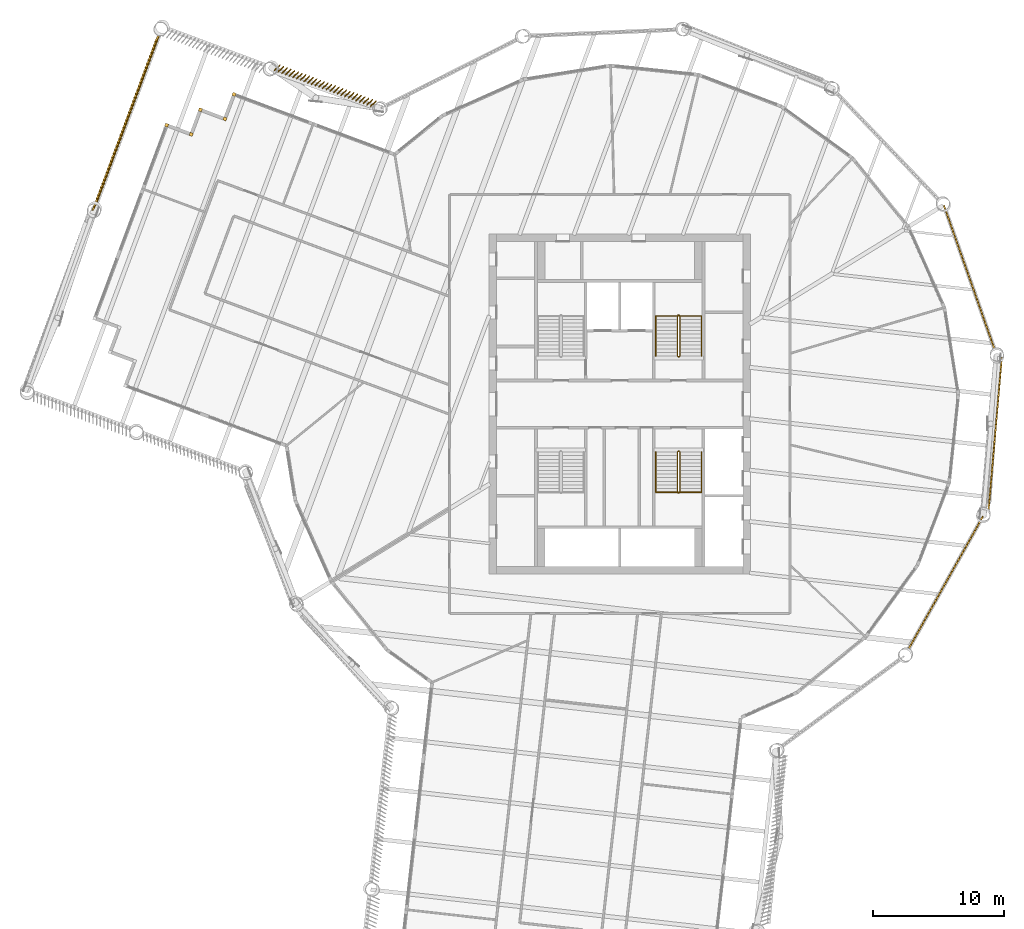
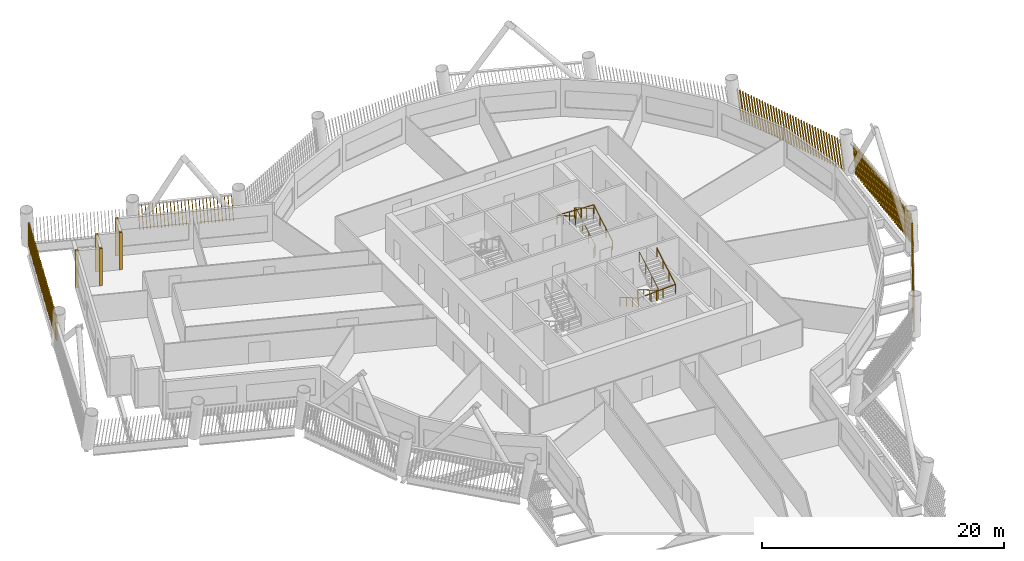
# One storey, part 20 of 22: 10 shading devices, 4 railings.
"""IFC4 building model written with IfcOpenShell, lengths in metres."""

from ifc_helpers import new_model, si_unit, direction, frame, frame_2d, origin, origin_2d, place, context, subcontext, project, spatial, rectangle, circle, composite_profile, extrude, material, type_object, element, save


model = new_model("IFC4")

# Units and contexts
model_context = context("Model", 3, precision=1e-05, world=origin(), true_north=direction((0.0, 1.0)))
body_context = subcontext(model_context, "Body", "Model", "MODEL_VIEW")
ifc_project = project(units=[si_unit("LENGTHUNIT", "METRE"), si_unit("AREAUNIT", "SQUARE_METRE"), si_unit("VOLUMEUNIT", "CUBIC_METRE"), si_unit("PLANEANGLEUNIT", "RADIAN"), si_unit("MASSUNIT", "GRAM", prefix="KILO")], contexts=[model_context])

# Site, building, storey
site_placement = place(None, origin())
site = spatial("IfcSite", under=ifc_project, at=site_placement, CompositionType="ELEMENT")
building_placement = place(site_placement, origin())
building = spatial("IfcBuilding", under=site, at=building_placement, Name="Tarsis Ring Headquarters", CompositionType="ELEMENT")
storey_placement = place(building_placement, frame((0.0, 0.0, 200.39990234375)))
storey = spatial("IfcBuildingStorey", under=building, at=storey_placement, Name="L46", CompositionType="ELEMENT", Elevation=200.39990234375)

# Railings
ifc_material_1 = material(Name="Steel S355", Category="steel")
railing_type_1 = type_object("IfcRailingType", Name="Core stair guard 1100", PredefinedType="GUARDRAIL", material=ifc_material_1)
railing_1_placement = place(storey_placement, frame((4.4599609375, 3.610107421875, 0.0)))
element("IfcRailing", 1, at=railing_1_placement, inside=storey, type_object=railing_type_1, Name="L46 ST2 stair guard 1", PredefinedType="GUARDRAIL", context=body_context, shape_type="SweptSolid", body=[
    extrude(circle(Radius=0.02392578125, at=origin_2d()), frame((0.0, 0.0, 1.076171875), z_axis=(1.0, 0.0, 0.0), x_axis=(0.0, 1.0, 0.0)), (0.0, 0.0, 1.0), 0.080078125),
    extrude(circle(Radius=0.02392578125, at=origin_2d()), frame((0.080078125, 0.0, 1.076171875), z_axis=(0.282336740067, 0.280959487676, 0.917250092119), x_axis=(-0.705375805398, 0.708833529934, 0.0)), (0.0, 0.0, 1.0), 0.17724609375),
    extrude(circle(Radius=0.02392578125, at=origin_2d()), frame((0.130126953125, 0.0498046875, 1.23876953125), z_axis=(0.0, 0.864890721111, 0.501960198159), x_axis=(-1.0, 0.0, 0.0)), (0.0, 0.0, 1.0), 3.561279296875),
    extrude(circle(Radius=0.02392578125, at=origin_2d()), frame((0.130126953125, 3.1298828125, 3.0263671875), z_axis=(-0.707106781187, 0.707106781187, 0.0), x_axis=(-0.707106781187, -0.707106781187, 0.0)), (0.0, 0.0, 1.0), 0.07080078125),
    extrude(circle(Radius=0.02392578125, at=origin_2d()), frame((0.080078125, 3.179931640625, 3.0263671875), z_axis=(-1.0, 0.0, 0.0), x_axis=(0.0, -1.0, 0.0)), (0.0, 0.0, 1.0), 0.080078125),
    extrude(circle(Radius=0.02392578125, at=origin_2d()), frame((0.0, 3.179931640625, 3.0263671875), z_axis=(-0.282583949758, -0.282583949758, 0.916674763849), x_axis=(0.707106781187, -0.707106781187, 0.0)), (0.0, 0.0, 1.0), 0.177001953125),
    extrude(circle(Radius=0.02392578125, at=origin_2d()), frame((-0.050048828125, 3.1298828125, 3.1884765625), z_axis=(0.0, -0.864890721111, 0.501960198159), x_axis=(1.0, 0.0, 0.0)), (0.0, 0.0, 1.0), 3.561279296875),
    extrude(circle(Radius=0.02099609375, at=origin_2d()), origin(), (0.0, 0.0, 1.0), 1.052001953125),
    extrude(circle(Radius=0.02099609375, at=origin_2d()), frame((0.080078125, 0.0, 0.0)), (0.0, 0.0, 1.0), 1.052001953125),
    extrude(circle(Radius=0.02099609375, at=origin_2d()), frame((0.130126953125, 0.0498046875, 0.16259765625)), (0.0, 0.0, 1.0), 1.052001953125),
    extrude(circle(Radius=0.02099609375, at=origin_2d()), frame((0.130126953125, 1.076416015625, 0.758544921875)), (0.0, 0.0, 1.0), 1.052001953125),
    extrude(circle(Radius=0.02099609375, at=origin_2d()), frame((0.130126953125, 2.103271484375, 1.354248046875)), (0.0, 0.0, 1.0), 1.052001953125),
    extrude(circle(Radius=0.02099609375, at=origin_2d()), frame((0.130126953125, 3.1298828125, 1.9501953125)), (0.0, 0.0, 1.0), 1.052001953125),
    extrude(circle(Radius=0.02099609375, at=origin_2d()), frame((0.080078125, 3.179931640625, 1.9501953125)), (0.0, 0.0, 1.0), 1.052001953125),
    extrude(circle(Radius=0.02099609375, at=origin_2d()), frame((0.0, 3.179931640625, 1.9501953125)), (0.0, 0.0, 1.0), 1.052001953125),
    extrude(circle(Radius=0.02099609375, at=origin_2d()), frame((-0.050048828125, 3.1298828125, 2.112548828125)), (0.0, 0.0, 1.0), 1.052001953125),
    extrude(circle(Radius=0.02099609375, at=origin_2d()), frame((-0.050048828125, 2.103271484375, 2.70849609375)), (0.0, 0.0, 1.0), 1.052001953125),
    extrude(circle(Radius=0.02099609375, at=origin_2d()), frame((-0.050048828125, 1.076416015625, 3.30419921875)), (0.0, 0.0, 1.0), 1.052001953125),
    extrude(circle(Radius=0.02099609375, at=origin_2d()), frame((-0.050048828125, 0.0498046875, 3.900146484375)), (0.0, 0.0, 1.0), 1.052001953125),
])
railing_2_placement = place(storey_placement, frame((4.5400390625, -3.610107421875, 0.0)))
element("IfcRailing", 2, at=railing_2_placement, inside=storey, type_object=railing_type_1, Name="L46 ST4 stair guard 1", PredefinedType="GUARDRAIL", context=body_context, shape_type="SweptSolid", body=[
    extrude(circle(Radius=0.02392578125, at=origin_2d()), frame((0.0, 0.0, 1.076171875), z_axis=(-1.0, 0.0, 0.0), x_axis=(0.0, -1.0, 0.0)), (0.0, 0.0, 1.0), 0.080078125),
    extrude(circle(Radius=0.02392578125, at=origin_2d()), frame((-0.080078125, 0.0, 1.076171875), z_axis=(-0.282336740067, -0.280959487676, 0.917250092119), x_axis=(0.705375805398, -0.708833529934, 0.0)), (0.0, 0.0, 1.0), 0.17724609375),
    extrude(circle(Radius=0.02392578125, at=origin_2d()), frame((-0.130126953125, -0.0498046875, 1.23876953125), z_axis=(0.0, -0.864890721111, 0.501960198159), x_axis=(1.0, 0.0, 0.0)), (0.0, 0.0, 1.0), 3.561279296875),
    extrude(circle(Radius=0.02392578125, at=origin_2d()), frame((-0.130126953125, -3.1298828125, 3.0263671875), z_axis=(0.707106781187, -0.707106781187, 0.0), x_axis=(0.707106781187, 0.707106781187, 0.0)), (0.0, 0.0, 1.0), 0.07080078125),
    extrude(circle(Radius=0.02392578125, at=origin_2d()), frame((-0.080078125, -3.179931640625, 3.0263671875), z_axis=(1.0, 0.0, 0.0), x_axis=(0.0, 1.0, 0.0)), (0.0, 0.0, 1.0), 0.080078125),
    extrude(circle(Radius=0.02392578125, at=origin_2d()), frame((0.0, -3.179931640625, 3.0263671875), z_axis=(0.282583949758, 0.282583949758, 0.916674763849), x_axis=(-0.707106781187, 0.707106781187, 0.0)), (0.0, 0.0, 1.0), 0.177001953125),
    extrude(circle(Radius=0.02392578125, at=origin_2d()), frame((0.050048828125, -3.1298828125, 3.1884765625), z_axis=(0.0, 0.864890721111, 0.501960198159), x_axis=(-1.0, 0.0, 0.0)), (0.0, 0.0, 1.0), 3.561279296875),
    extrude(circle(Radius=0.02099609375, at=origin_2d()), origin(), (0.0, 0.0, 1.0), 1.052001953125),
    extrude(circle(Radius=0.02099609375, at=origin_2d()), frame((-0.080078125, 0.0, 0.0)), (0.0, 0.0, 1.0), 1.052001953125),
    extrude(circle(Radius=0.02099609375, at=origin_2d()), frame((-0.130126953125, -0.0498046875, 0.16259765625)), (0.0, 0.0, 1.0), 1.052001953125),
    extrude(circle(Radius=0.02099609375, at=origin_2d()), frame((-0.130126953125, -1.076416015625, 0.758544921875)), (0.0, 0.0, 1.0), 1.052001953125),
    extrude(circle(Radius=0.02099609375, at=origin_2d()), frame((-0.130126953125, -2.103271484375, 1.354248046875)), (0.0, 0.0, 1.0), 1.052001953125),
    extrude(circle(Radius=0.02099609375, at=origin_2d()), frame((-0.130126953125, -3.1298828125, 1.9501953125)), (0.0, 0.0, 1.0), 1.052001953125),
    extrude(circle(Radius=0.02099609375, at=origin_2d()), frame((-0.080078125, -3.179931640625, 1.9501953125)), (0.0, 0.0, 1.0), 1.052001953125),
    extrude(circle(Radius=0.02099609375, at=origin_2d()), frame((0.0, -3.179931640625, 1.9501953125)), (0.0, 0.0, 1.0), 1.052001953125),
    extrude(circle(Radius=0.02099609375, at=origin_2d()), frame((0.050048828125, -3.1298828125, 2.112548828125)), (0.0, 0.0, 1.0), 1.052001953125),
    extrude(circle(Radius=0.02099609375, at=origin_2d()), frame((0.050048828125, -2.103271484375, 2.70849609375)), (0.0, 0.0, 1.0), 1.052001953125),
    extrude(circle(Radius=0.02099609375, at=origin_2d()), frame((0.050048828125, -1.076416015625, 3.30419921875)), (0.0, 0.0, 1.0), 1.052001953125),
    extrude(circle(Radius=0.02099609375, at=origin_2d()), frame((0.050048828125, -0.0498046875, 3.900146484375)), (0.0, 0.0, 1.0), 1.052001953125),
])
railing_type_2 = type_object("IfcRailingType", Name="Core stair handrail 900", PredefinedType="HANDRAIL", material=ifc_material_1)
railing_3_placement = place(storey_placement, frame((6.25, 3.659912109375, 0.16259765625)))
element("IfcRailing", 3, at=railing_3_placement, inside=storey, type_object=railing_type_2, Name="L46 ST2 stair handrail 1", PredefinedType="HANDRAIL", context=body_context, shape_type="SweptSolid", body=[
    extrude(circle(Radius=0.02392578125, at=origin_2d()), frame((0.0, 0.0, 0.8759765625), z_axis=(0.0, 0.864890721111, 0.501960198159), x_axis=(-1.0, 0.0, 0.0)), (0.0, 0.0, 1.0), 3.561279296875),
    extrude(circle(Radius=0.02392578125, at=origin_2d()), frame((0.0, 3.080078125, 2.66357421875), z_axis=(-0.998925869279, 0.0, 0.04633689335), x_axis=(0.0, -1.0, 0.0)), (0.0, 0.0, 1.0), 3.503662109375),
    extrude(circle(Radius=0.02392578125, at=origin_2d()), frame((-3.5, 3.080078125, 2.82568359375), z_axis=(0.0, -0.864890721111, 0.501960198159), x_axis=(1.0, 0.0, 0.0)), (0.0, 0.0, 1.0), 3.561279296875),
    extrude(circle(Radius=0.02099609375, at=origin_2d()), origin(), (0.0, 0.0, 1.0), 0.851806640625),
    extrude(circle(Radius=0.02099609375, at=origin_2d()), frame((0.0, 1.026611328125, 0.595947265625)), (0.0, 0.0, 1.0), 0.851806640625),
    extrude(circle(Radius=0.02099609375, at=origin_2d()), frame((0.0, 2.053466796875, 1.191650390625)), (0.0, 0.0, 1.0), 0.851806640625),
    extrude(circle(Radius=0.02099609375, at=origin_2d()), frame((0.0, 3.080078125, 1.78759765625)), (0.0, 0.0, 1.0), 0.851806640625),
    extrude(circle(Radius=0.02099609375, at=origin_2d()), frame((-1.166748046875, 3.080078125, 1.841796875)), (0.0, 0.0, 1.0), 0.851806640625),
    extrude(circle(Radius=0.02099609375, at=origin_2d()), frame((-2.333251953125, 3.080078125, 1.895751953125)), (0.0, 0.0, 1.0), 0.851806640625),
    extrude(circle(Radius=0.02099609375, at=origin_2d()), frame((-3.5, 3.080078125, 1.949951171875)), (0.0, 0.0, 1.0), 0.851806640625),
    extrude(circle(Radius=0.02099609375, at=origin_2d()), frame((-3.5, 2.053466796875, 2.5458984375)), (0.0, 0.0, 1.0), 0.851806640625),
    extrude(circle(Radius=0.02099609375, at=origin_2d()), frame((-3.5, 1.026611328125, 3.1416015625)), (0.0, 0.0, 1.0), 0.851806640625),
    extrude(circle(Radius=0.02099609375, at=origin_2d()), frame((-3.5, 0.0, 3.737548828125)), (0.0, 0.0, 1.0), 0.851806640625),
])
railing_4_placement = place(storey_placement, frame((2.75, -3.659912109375, 0.16259765625)))
element("IfcRailing", 4, at=railing_4_placement, inside=storey, type_object=railing_type_2, Name="L46 ST4 stair handrail 1", PredefinedType="HANDRAIL", context=body_context, shape_type="SweptSolid", body=[
    extrude(circle(Radius=0.02392578125, at=origin_2d()), frame((0.0, 0.0, 0.8759765625), z_axis=(0.0, -0.864890721111, 0.501960198159), x_axis=(1.0, 0.0, 0.0)), (0.0, 0.0, 1.0), 3.561279296875),
    extrude(circle(Radius=0.02392578125, at=origin_2d()), frame((0.0, -3.080078125, 2.66357421875), z_axis=(0.998925869279, 0.0, 0.04633689335), x_axis=(0.0, 1.0, 0.0)), (0.0, 0.0, 1.0), 3.503662109375),
    extrude(circle(Radius=0.02392578125, at=origin_2d()), frame((3.5, -3.080078125, 2.82568359375), z_axis=(0.0, 0.864890721111, 0.501960198159), x_axis=(-1.0, 0.0, 0.0)), (0.0, 0.0, 1.0), 3.561279296875),
    extrude(circle(Radius=0.02099609375, at=origin_2d()), origin(), (0.0, 0.0, 1.0), 0.851806640625),
    extrude(circle(Radius=0.02099609375, at=origin_2d()), frame((0.0, -1.026611328125, 0.595947265625)), (0.0, 0.0, 1.0), 0.851806640625),
    extrude(circle(Radius=0.02099609375, at=origin_2d()), frame((0.0, -2.053466796875, 1.191650390625)), (0.0, 0.0, 1.0), 0.851806640625),
    extrude(circle(Radius=0.02099609375, at=origin_2d()), frame((0.0, -3.080078125, 1.78759765625)), (0.0, 0.0, 1.0), 0.851806640625),
    extrude(circle(Radius=0.02099609375, at=origin_2d()), frame((1.166748046875, -3.080078125, 1.841796875)), (0.0, 0.0, 1.0), 0.851806640625),
    extrude(circle(Radius=0.02099609375, at=origin_2d()), frame((2.333251953125, -3.080078125, 1.895751953125)), (0.0, 0.0, 1.0), 0.851806640625),
    extrude(circle(Radius=0.02099609375, at=origin_2d()), frame((3.5, -3.080078125, 1.949951171875)), (0.0, 0.0, 1.0), 0.851806640625),
    extrude(circle(Radius=0.02099609375, at=origin_2d()), frame((3.5, -2.053466796875, 2.5458984375)), (0.0, 0.0, 1.0), 0.851806640625),
    extrude(circle(Radius=0.02099609375, at=origin_2d()), frame((3.5, -1.026611328125, 3.1416015625)), (0.0, 0.0, 1.0), 0.851806640625),
    extrude(circle(Radius=0.02099609375, at=origin_2d()), frame((3.5, 0.0, 3.737548828125)), (0.0, 0.0, 1.0), 0.851806640625),
])

# Shading devices
ifc_material_2 = material(Name="Terracotta baguette", Category="masonry")
shading_device_type_1 = type_object("IfcShadingDeviceType", Name="Terracotta baguette screen", PredefinedType="USERDEFINED", material=ifc_material_2)
shading_device_1_placement = place(storey_placement, frame((22.01171875, -18.7998046875, 0.0), z_axis=(0.0, 0.0, 1.0), x_axis=(0.489310906131, 0.872121540966, 0.0)))
element("IfcShadingDevice", 5, at=shading_device_1_placement, inside=storey, type_object=shading_device_type_1, Name="Baguette screen L46-08", ObjectType="Terracotta baguette screen", PredefinedType="USERDEFINED", context=body_context, shape_type="SweptSolid", body=[
    extrude(composite_profile([rectangle(XDim=0.06005859375, YDim=0.1201171875, at=frame_2d((0.030029296875, 0.0))), rectangle(XDim=0.06005859375, YDim=0.1201171875, at=frame_2d((0.33251953125, 0.0))), rectangle(XDim=0.06005859375, YDim=0.1201171875, at=frame_2d((0.634765625, 0.0))), rectangle(XDim=0.06005859375, YDim=0.1201171875, at=frame_2d((0.937255859375, 0.0))), rectangle(XDim=0.06005859375, YDim=0.1201171875, at=frame_2d((1.239501953125, 0.0))), rectangle(XDim=0.06005859375, YDim=0.1201171875, at=frame_2d((1.5419921875, 0.0))), rectangle(XDim=0.06005859375, YDim=0.1201171875, at=frame_2d((1.844482421875, 0.0))), rectangle(XDim=0.06005859375, YDim=0.1201171875, at=frame_2d((2.146728515625, 0.0))), rectangle(XDim=0.06005859375, YDim=0.1201171875, at=frame_2d((2.44921875, 0.0))), rectangle(XDim=0.06005859375, YDim=0.1201171875, at=frame_2d((2.751708984375, 0.0))), rectangle(XDim=0.06005859375, YDim=0.1201171875, at=frame_2d((3.053955078125, 0.0))), rectangle(XDim=0.06005859375, YDim=0.1201171875, at=frame_2d((3.3564453125, 0.0))), rectangle(XDim=0.06005859375, YDim=0.1201171875, at=frame_2d((3.65869140625, 0.0))), rectangle(XDim=0.06005859375, YDim=0.1201171875, at=frame_2d((3.961181640625, 0.0))), rectangle(XDim=0.06005859375, YDim=0.1201171875, at=frame_2d((4.263671875, 0.0))), rectangle(XDim=0.06005859375, YDim=0.1201171875, at=frame_2d((4.56591796875, 0.0))), rectangle(XDim=0.06005859375, YDim=0.1201171875, at=frame_2d((4.868408203125, 0.0))), rectangle(XDim=0.06005859375, YDim=0.1201171875, at=frame_2d((5.1708984375, 0.0))), rectangle(XDim=0.06005859375, YDim=0.1201171875, at=frame_2d((5.47314453125, 0.0))), rectangle(XDim=0.06005859375, YDim=0.1201171875, at=frame_2d((5.775634765625, 0.0))), rectangle(XDim=0.06005859375, YDim=0.1201171875, at=frame_2d((6.077880859375, 0.0))), rectangle(XDim=0.06005859375, YDim=0.1201171875, at=frame_2d((6.38037109375, 0.0))), rectangle(XDim=0.06005859375, YDim=0.1201171875, at=frame_2d((6.682861328125, 0.0))), rectangle(XDim=0.06005859375, YDim=0.1201171875, at=frame_2d((6.985107421875, 0.0))), rectangle(XDim=0.06005859375, YDim=0.1201171875, at=frame_2d((7.28759765625, 0.0))), rectangle(XDim=0.06005859375, YDim=0.1201171875, at=frame_2d((7.590087890625, 0.0))), rectangle(XDim=0.06005859375, YDim=0.1201171875, at=frame_2d((7.892333984375, 0.0))), rectangle(XDim=0.06005859375, YDim=0.1201171875, at=frame_2d((8.19482421875, 0.0))), rectangle(XDim=0.06005859375, YDim=0.1201171875, at=frame_2d((8.4970703125, 0.0))), rectangle(XDim=0.06005859375, YDim=0.1201171875, at=frame_2d((8.799560546875, 0.0))), rectangle(XDim=0.06005859375, YDim=0.1201171875, at=frame_2d((9.10205078125, 0.0))), rectangle(XDim=0.06005859375, YDim=0.1201171875, at=frame_2d((9.404296875, 0.0))), rectangle(XDim=0.06005859375, YDim=0.1201171875, at=frame_2d((9.706787109375, 0.0))), rectangle(XDim=0.06005859375, YDim=0.1201171875, at=frame_2d((10.00927734375, 0.0))), rectangle(XDim=0.06005859375, YDim=0.1201171875, at=frame_2d((10.3115234375, 0.0))), rectangle(XDim=0.06005859375, YDim=0.1201171875, at=frame_2d((10.614013671875, 0.0))), rectangle(XDim=0.06005859375, YDim=0.1201171875, at=frame_2d((10.916259765625, 0.0))), rectangle(XDim=0.06005859375, YDim=0.1201171875, at=frame_2d((11.21875, 0.0)))]), origin(), (0.159205201611, 0.001329996815, 0.987244617553), 2.98828125),
])
shading_device_2_placement = place(storey_placement, frame((28.177490234375, -8.087890625, 0.0), z_axis=(0.0, 0.0, 1.0), x_axis=(0.086335619411, 0.996267037069, 0.0)))
element("IfcShadingDevice", 6, at=shading_device_2_placement, inside=storey, type_object=shading_device_type_1, Name="Baguette screen L46-09", ObjectType="Terracotta baguette screen", PredefinedType="USERDEFINED", context=body_context, shape_type="SweptSolid", body=[
    extrude(composite_profile([rectangle(XDim=0.06005859375, YDim=0.1201171875, at=frame_2d((0.030029296875, 0.0))), rectangle(XDim=0.06005859375, YDim=0.1201171875, at=frame_2d((0.33251953125, 0.0))), rectangle(XDim=0.06005859375, YDim=0.1201171875, at=frame_2d((0.634765625, 0.0))), rectangle(XDim=0.06005859375, YDim=0.1201171875, at=frame_2d((0.937255859375, 0.0))), rectangle(XDim=0.06005859375, YDim=0.1201171875, at=frame_2d((1.239501953125, 0.0))), rectangle(XDim=0.06005859375, YDim=0.1201171875, at=frame_2d((1.5419921875, 0.0))), rectangle(XDim=0.06005859375, YDim=0.1201171875, at=frame_2d((1.844482421875, 0.0))), rectangle(XDim=0.06005859375, YDim=0.1201171875, at=frame_2d((2.146728515625, 0.0))), rectangle(XDim=0.06005859375, YDim=0.1201171875, at=frame_2d((2.44921875, 0.0))), rectangle(XDim=0.06005859375, YDim=0.1201171875, at=frame_2d((2.751708984375, 0.0))), rectangle(XDim=0.06005859375, YDim=0.1201171875, at=frame_2d((3.053955078125, 0.0))), rectangle(XDim=0.06005859375, YDim=0.1201171875, at=frame_2d((3.3564453125, 0.0))), rectangle(XDim=0.06005859375, YDim=0.1201171875, at=frame_2d((3.65869140625, 0.0))), rectangle(XDim=0.06005859375, YDim=0.1201171875, at=frame_2d((3.961181640625, 0.0))), rectangle(XDim=0.06005859375, YDim=0.1201171875, at=frame_2d((4.263671875, 0.0))), rectangle(XDim=0.06005859375, YDim=0.1201171875, at=frame_2d((4.56591796875, 0.0))), rectangle(XDim=0.06005859375, YDim=0.1201171875, at=frame_2d((4.868408203125, 0.0))), rectangle(XDim=0.06005859375, YDim=0.1201171875, at=frame_2d((5.1708984375, 0.0))), rectangle(XDim=0.06005859375, YDim=0.1201171875, at=frame_2d((5.47314453125, 0.0))), rectangle(XDim=0.06005859375, YDim=0.1201171875, at=frame_2d((5.775634765625, 0.0))), rectangle(XDim=0.06005859375, YDim=0.1201171875, at=frame_2d((6.077880859375, 0.0))), rectangle(XDim=0.06005859375, YDim=0.1201171875, at=frame_2d((6.38037109375, 0.0))), rectangle(XDim=0.06005859375, YDim=0.1201171875, at=frame_2d((6.682861328125, 0.0))), rectangle(XDim=0.06005859375, YDim=0.1201171875, at=frame_2d((6.985107421875, 0.0))), rectangle(XDim=0.06005859375, YDim=0.1201171875, at=frame_2d((7.28759765625, 0.0))), rectangle(XDim=0.06005859375, YDim=0.1201171875, at=frame_2d((7.590087890625, 0.0))), rectangle(XDim=0.06005859375, YDim=0.1201171875, at=frame_2d((7.892333984375, 0.0))), rectangle(XDim=0.06005859375, YDim=0.1201171875, at=frame_2d((8.19482421875, 0.0))), rectangle(XDim=0.06005859375, YDim=0.1201171875, at=frame_2d((8.4970703125, 0.0))), rectangle(XDim=0.06005859375, YDim=0.1201171875, at=frame_2d((8.799560546875, 0.0))), rectangle(XDim=0.06005859375, YDim=0.1201171875, at=frame_2d((9.10205078125, 0.0))), rectangle(XDim=0.06005859375, YDim=0.1201171875, at=frame_2d((9.404296875, 0.0))), rectangle(XDim=0.06005859375, YDim=0.1201171875, at=frame_2d((9.706787109375, 0.0))), rectangle(XDim=0.06005859375, YDim=0.1201171875, at=frame_2d((10.00927734375, 0.0))), rectangle(XDim=0.06005859375, YDim=0.1201171875, at=frame_2d((10.3115234375, 0.0))), rectangle(XDim=0.06005859375, YDim=0.1201171875, at=frame_2d((10.614013671875, 0.0))), rectangle(XDim=0.06005859375, YDim=0.1201171875, at=frame_2d((10.916259765625, 0.0))), rectangle(XDim=0.06005859375, YDim=0.1201171875, at=frame_2d((11.21875, 0.0)))]), origin(), (0.161251587501, 0.00134831247, 0.986912411302), 2.9892578125),
])
shading_device_3_placement = place(storey_placement, frame((28.65234375, 4.12109375, 0.0), z_axis=(0.0, 0.0, 1.0), x_axis=(-0.331973261568, 0.943289348034, 0.0)))
element("IfcShadingDevice", 7, at=shading_device_3_placement, inside=storey, type_object=shading_device_type_1, Name="Baguette screen L46-10", ObjectType="Terracotta baguette screen", PredefinedType="USERDEFINED", context=body_context, shape_type="SweptSolid", body=[
    extrude(composite_profile([rectangle(XDim=0.06005859375, YDim=0.1201171875, at=frame_2d((0.030029296875, 0.0))), rectangle(XDim=0.06005859375, YDim=0.1201171875, at=frame_2d((0.33251953125, 0.0))), rectangle(XDim=0.06005859375, YDim=0.1201171875, at=frame_2d((0.634765625, 0.0))), rectangle(XDim=0.06005859375, YDim=0.1201171875, at=frame_2d((0.937255859375, 0.0))), rectangle(XDim=0.06005859375, YDim=0.1201171875, at=frame_2d((1.239501953125, 0.0))), rectangle(XDim=0.06005859375, YDim=0.1201171875, at=frame_2d((1.5419921875, 0.0))), rectangle(XDim=0.06005859375, YDim=0.1201171875, at=frame_2d((1.844482421875, 0.0))), rectangle(XDim=0.06005859375, YDim=0.1201171875, at=frame_2d((2.146728515625, 0.0))), rectangle(XDim=0.06005859375, YDim=0.1201171875, at=frame_2d((2.44921875, 0.0))), rectangle(XDim=0.06005859375, YDim=0.1201171875, at=frame_2d((2.751708984375, 0.0))), rectangle(XDim=0.06005859375, YDim=0.1201171875, at=frame_2d((3.053955078125, 0.0))), rectangle(XDim=0.06005859375, YDim=0.1201171875, at=frame_2d((3.3564453125, 0.0))), rectangle(XDim=0.06005859375, YDim=0.1201171875, at=frame_2d((3.65869140625, 0.0))), rectangle(XDim=0.06005859375, YDim=0.1201171875, at=frame_2d((3.961181640625, 0.0))), rectangle(XDim=0.06005859375, YDim=0.1201171875, at=frame_2d((4.263671875, 0.0))), rectangle(XDim=0.06005859375, YDim=0.1201171875, at=frame_2d((4.56591796875, 0.0))), rectangle(XDim=0.06005859375, YDim=0.1201171875, at=frame_2d((4.868408203125, 0.0))), rectangle(XDim=0.06005859375, YDim=0.1201171875, at=frame_2d((5.1708984375, 0.0))), rectangle(XDim=0.06005859375, YDim=0.1201171875, at=frame_2d((5.47314453125, 0.0))), rectangle(XDim=0.06005859375, YDim=0.1201171875, at=frame_2d((5.775634765625, 0.0))), rectangle(XDim=0.06005859375, YDim=0.1201171875, at=frame_2d((6.077880859375, 0.0))), rectangle(XDim=0.06005859375, YDim=0.1201171875, at=frame_2d((6.38037109375, 0.0))), rectangle(XDim=0.06005859375, YDim=0.1201171875, at=frame_2d((6.682861328125, 0.0))), rectangle(XDim=0.06005859375, YDim=0.1201171875, at=frame_2d((6.985107421875, 0.0))), rectangle(XDim=0.06005859375, YDim=0.1201171875, at=frame_2d((7.28759765625, 0.0))), rectangle(XDim=0.06005859375, YDim=0.1201171875, at=frame_2d((7.590087890625, 0.0))), rectangle(XDim=0.06005859375, YDim=0.1201171875, at=frame_2d((7.892333984375, 0.0))), rectangle(XDim=0.06005859375, YDim=0.1201171875, at=frame_2d((8.19482421875, 0.0))), rectangle(XDim=0.06005859375, YDim=0.1201171875, at=frame_2d((8.4970703125, 0.0))), rectangle(XDim=0.06005859375, YDim=0.1201171875, at=frame_2d((8.799560546875, 0.0))), rectangle(XDim=0.06005859375, YDim=0.1201171875, at=frame_2d((9.10205078125, 0.0))), rectangle(XDim=0.06005859375, YDim=0.1201171875, at=frame_2d((9.404296875, 0.0))), rectangle(XDim=0.06005859375, YDim=0.1201171875, at=frame_2d((9.706787109375, 0.0))), rectangle(XDim=0.06005859375, YDim=0.1201171875, at=frame_2d((10.00927734375, 0.0))), rectangle(XDim=0.06005859375, YDim=0.1201171875, at=frame_2d((10.3115234375, 0.0))), rectangle(XDim=0.06005859375, YDim=0.1201171875, at=frame_2d((10.614013671875, 0.0))), rectangle(XDim=0.06005859375, YDim=0.1201171875, at=frame_2d((10.916259765625, 0.0))), rectangle(XDim=0.06005859375, YDim=0.1201171875, at=frame_2d((11.21875, 0.0)))]), origin(), (0.159203651876, 0.001334181368, 0.98724486182), 2.98828125),
])
shading_device_4_placement = place(storey_placement, frame((-18.5908203125, 23.123291015625, 0.0), z_axis=(0.0, 0.0, 1.0), x_axis=(-0.937034634041, 0.349213705317, 0.0)))
element("IfcShadingDevice", 8, at=shading_device_4_placement, inside=storey, type_object=shading_device_type_1, Name="Baguette screen L46-15", ObjectType="Terracotta baguette screen", PredefinedType="USERDEFINED", context=body_context, shape_type="SweptSolid", body=[
    extrude(composite_profile([rectangle(XDim=0.06005859375, YDim=0.1201171875, at=frame_2d((0.030029296875, 0.0))), rectangle(XDim=0.06005859375, YDim=0.1201171875, at=frame_2d((0.33154296875, 0.0))), rectangle(XDim=0.06005859375, YDim=0.1201171875, at=frame_2d((0.63330078125, 0.0))), rectangle(XDim=0.06005859375, YDim=0.1201171875, at=frame_2d((0.934814453125, 0.0))), rectangle(XDim=0.06005859375, YDim=0.1201171875, at=frame_2d((1.236572265625, 0.0))), rectangle(XDim=0.06005859375, YDim=0.1201171875, at=frame_2d((1.5380859375, 0.0))), rectangle(XDim=0.06005859375, YDim=0.1201171875, at=frame_2d((1.83984375, 0.0))), rectangle(XDim=0.06005859375, YDim=0.1201171875, at=frame_2d((2.141357421875, 0.0))), rectangle(XDim=0.06005859375, YDim=0.1201171875, at=frame_2d((2.443115234375, 0.0))), rectangle(XDim=0.06005859375, YDim=0.1201171875, at=frame_2d((2.74462890625, 0.0))), rectangle(XDim=0.06005859375, YDim=0.1201171875, at=frame_2d((3.04638671875, 0.0))), rectangle(XDim=0.06005859375, YDim=0.1201171875, at=frame_2d((3.347900390625, 0.0))), rectangle(XDim=0.06005859375, YDim=0.1201171875, at=frame_2d((3.649658203125, 0.0))), rectangle(XDim=0.06005859375, YDim=0.1201171875, at=frame_2d((3.951171875, 0.0))), rectangle(XDim=0.06005859375, YDim=0.1201171875, at=frame_2d((4.252685546875, 0.0))), rectangle(XDim=0.06005859375, YDim=0.1201171875, at=frame_2d((4.554443359375, 0.0))), rectangle(XDim=0.06005859375, YDim=0.1201171875, at=frame_2d((4.85595703125, 0.0))), rectangle(XDim=0.06005859375, YDim=0.1201171875, at=frame_2d((5.15771484375, 0.0))), rectangle(XDim=0.06005859375, YDim=0.1201171875, at=frame_2d((5.459228515625, 0.0))), rectangle(XDim=0.06005859375, YDim=0.1201171875, at=frame_2d((5.760986328125, 0.0))), rectangle(XDim=0.06005859375, YDim=0.1201171875, at=frame_2d((6.0625, 0.0))), rectangle(XDim=0.06005859375, YDim=0.1201171875, at=frame_2d((6.3642578125, 0.0))), rectangle(XDim=0.06005859375, YDim=0.1201171875, at=frame_2d((6.665771484375, 0.0))), rectangle(XDim=0.06005859375, YDim=0.1201171875, at=frame_2d((6.967529296875, 0.0))), rectangle(XDim=0.06005859375, YDim=0.1201171875, at=frame_2d((7.26904296875, 0.0))), rectangle(XDim=0.06005859375, YDim=0.1201171875, at=frame_2d((7.57080078125, 0.0))), rectangle(XDim=0.06005859375, YDim=0.1201171875, at=frame_2d((7.872314453125, 0.0)))]), origin(), (0.083318301791, 0.165053876973, 0.982759013331), 3.001953125),
])
shading_device_5_placement = place(storey_placement, frame((-35.111328125, 28.346435546875, 0.0), z_axis=(0.0, 0.0, 1.0), x_axis=(-0.349226006192, -0.937036709421, 0.0)))
element("IfcShadingDevice", 9, at=shading_device_5_placement, inside=storey, type_object=shading_device_type_1, Name="Baguette screen L46-17", ObjectType="Terracotta baguette screen", PredefinedType="USERDEFINED", context=body_context, shape_type="SweptSolid", body=[
    extrude(composite_profile([rectangle(XDim=0.06005859375, YDim=0.1201171875, at=frame_2d((0.030029296875, 0.0))), rectangle(XDim=0.06005859375, YDim=0.1201171875, at=frame_2d((0.33544921875, 0.0))), rectangle(XDim=0.06005859375, YDim=0.1201171875, at=frame_2d((0.640625, 0.0))), rectangle(XDim=0.06005859375, YDim=0.1201171875, at=frame_2d((0.946044921875, 0.0))), rectangle(XDim=0.06005859375, YDim=0.1201171875, at=frame_2d((1.25146484375, 0.0))), rectangle(XDim=0.06005859375, YDim=0.1201171875, at=frame_2d((1.556640625, 0.0))), rectangle(XDim=0.06005859375, YDim=0.1201171875, at=frame_2d((1.862060546875, 0.0))), rectangle(XDim=0.06005859375, YDim=0.1201171875, at=frame_2d((2.16748046875, 0.0))), rectangle(XDim=0.06005859375, YDim=0.1201171875, at=frame_2d((2.47265625, 0.0))), rectangle(XDim=0.06005859375, YDim=0.1201171875, at=frame_2d((2.778076171875, 0.0))), rectangle(XDim=0.06005859375, YDim=0.1201171875, at=frame_2d((3.08349609375, 0.0))), rectangle(XDim=0.06005859375, YDim=0.1201171875, at=frame_2d((3.388671875, 0.0))), rectangle(XDim=0.06005859375, YDim=0.1201171875, at=frame_2d((3.694091796875, 0.0))), rectangle(XDim=0.06005859375, YDim=0.1201171875, at=frame_2d((3.99951171875, 0.0))), rectangle(XDim=0.06005859375, YDim=0.1201171875, at=frame_2d((4.3046875, 0.0))), rectangle(XDim=0.06005859375, YDim=0.1201171875, at=frame_2d((4.610107421875, 0.0))), rectangle(XDim=0.06005859375, YDim=0.1201171875, at=frame_2d((4.91552734375, 0.0))), rectangle(XDim=0.06005859375, YDim=0.1201171875, at=frame_2d((5.220703125, 0.0))), rectangle(XDim=0.06005859375, YDim=0.1201171875, at=frame_2d((5.526123046875, 0.0))), rectangle(XDim=0.06005859375, YDim=0.1201171875, at=frame_2d((5.83154296875, 0.0))), rectangle(XDim=0.06005859375, YDim=0.1201171875, at=frame_2d((6.13671875, 0.0))), rectangle(XDim=0.06005859375, YDim=0.1201171875, at=frame_2d((6.442138671875, 0.0))), rectangle(XDim=0.06005859375, YDim=0.1201171875, at=frame_2d((6.74755859375, 0.0))), rectangle(XDim=0.06005859375, YDim=0.1201171875, at=frame_2d((7.052734375, 0.0))), rectangle(XDim=0.06005859375, YDim=0.1201171875, at=frame_2d((7.358154296875, 0.0))), rectangle(XDim=0.06005859375, YDim=0.1201171875, at=frame_2d((7.66357421875, 0.0))), rectangle(XDim=0.06005859375, YDim=0.1201171875, at=frame_2d((7.96875, 0.0))), rectangle(XDim=0.06005859375, YDim=0.1201171875, at=frame_2d((8.274169921875, 0.0))), rectangle(XDim=0.06005859375, YDim=0.1201171875, at=frame_2d((8.57958984375, 0.0))), rectangle(XDim=0.06005859375, YDim=0.1201171875, at=frame_2d((8.884765625, 0.0))), rectangle(XDim=0.06005859375, YDim=0.1201171875, at=frame_2d((9.190185546875, 0.0))), rectangle(XDim=0.06005859375, YDim=0.1201171875, at=frame_2d((9.49560546875, 0.0))), rectangle(XDim=0.06005859375, YDim=0.1201171875, at=frame_2d((9.80078125, 0.0))), rectangle(XDim=0.06005859375, YDim=0.1201171875, at=frame_2d((10.106201171875, 0.0))), rectangle(XDim=0.06005859375, YDim=0.1201171875, at=frame_2d((10.41162109375, 0.0))), rectangle(XDim=0.06005859375, YDim=0.1201171875, at=frame_2d((10.716796875, 0.0))), rectangle(XDim=0.06005859375, YDim=0.1201171875, at=frame_2d((11.022216796875, 0.0))), rectangle(XDim=0.06005859375, YDim=0.1201171875, at=frame_2d((11.32763671875, 0.0))), rectangle(XDim=0.06005859375, YDim=0.1201171875, at=frame_2d((11.6328125, 0.0))), rectangle(XDim=0.06005859375, YDim=0.1201171875, at=frame_2d((11.938232421875, 0.0))), rectangle(XDim=0.06005859375, YDim=0.1201171875, at=frame_2d((12.24365234375, 0.0))), rectangle(XDim=0.06005859375, YDim=0.1201171875, at=frame_2d((12.548828125, 0.0))), rectangle(XDim=0.06005859375, YDim=0.1201171875, at=frame_2d((12.854248046875, 0.0))), rectangle(XDim=0.06005859375, YDim=0.1201171875, at=frame_2d((13.15966796875, 0.0))), rectangle(XDim=0.06005859375, YDim=0.1201171875, at=frame_2d((13.46484375, 0.0))), rectangle(XDim=0.06005859375, YDim=0.1201171875, at=frame_2d((13.770263671875, 0.0)))]), origin(), (0.236331787929, -0.038824697985, 0.970896456292), 3.03857421875),
])
shading_device_type_2 = type_object("IfcShadingDeviceType", Name="Terracotta corner baguette 250x250", PredefinedType="USERDEFINED", material=ifc_material_2)
for number, where, z_axis, x_axis, name in (
    (10, (-29.46923828125, 23.65576171875, 0.0), (0.0, 0.0, 1.0), (-0.93703840581, 0.349226324948, 0.0), "Corner baguette L46-32"),
    (11, (-30.167724609375, 21.78173828125, 0.0), (0.0, 0.0, 1.0), (-0.349226455783, -0.937038357049, 0.0), "Corner baguette L46-33"),
    (12, (-32.041748046875, 22.480224609375, 0.0), (0.0, 0.0, 1.0), (-0.937038521618, 0.349226014214, 0.0), "Corner baguette L46-34"),
    (13, (-32.740234375, 20.606201171875, 0.0), (0.0, 0.0, 1.0), (-0.349226177758, -0.937038460667, 0.0), "Corner baguette L46-35"),
    (14, (-34.6142578125, 21.3046875, 0.0), (0.0, 0.0, 1.0), (-0.937038357049, 0.349226455783, 0.0), "Corner baguette L46-36"),
):
    element("IfcShadingDevice", number, at=place(storey_placement, frame(where, z_axis=z_axis, x_axis=x_axis)), inside=storey, type_object=shading_device_type_2, Name=name, ObjectType="Terracotta corner baguette", PredefinedType="USERDEFINED", context=body_context, shape_type="SweptSolid", body=[
        extrude(rectangle(XDim=0.25, YDim=0.25, at=origin_2d()), origin(), (0.0, 0.0, 1.0), 3.739990234375),
    ])

save(model, "model.ifc")
